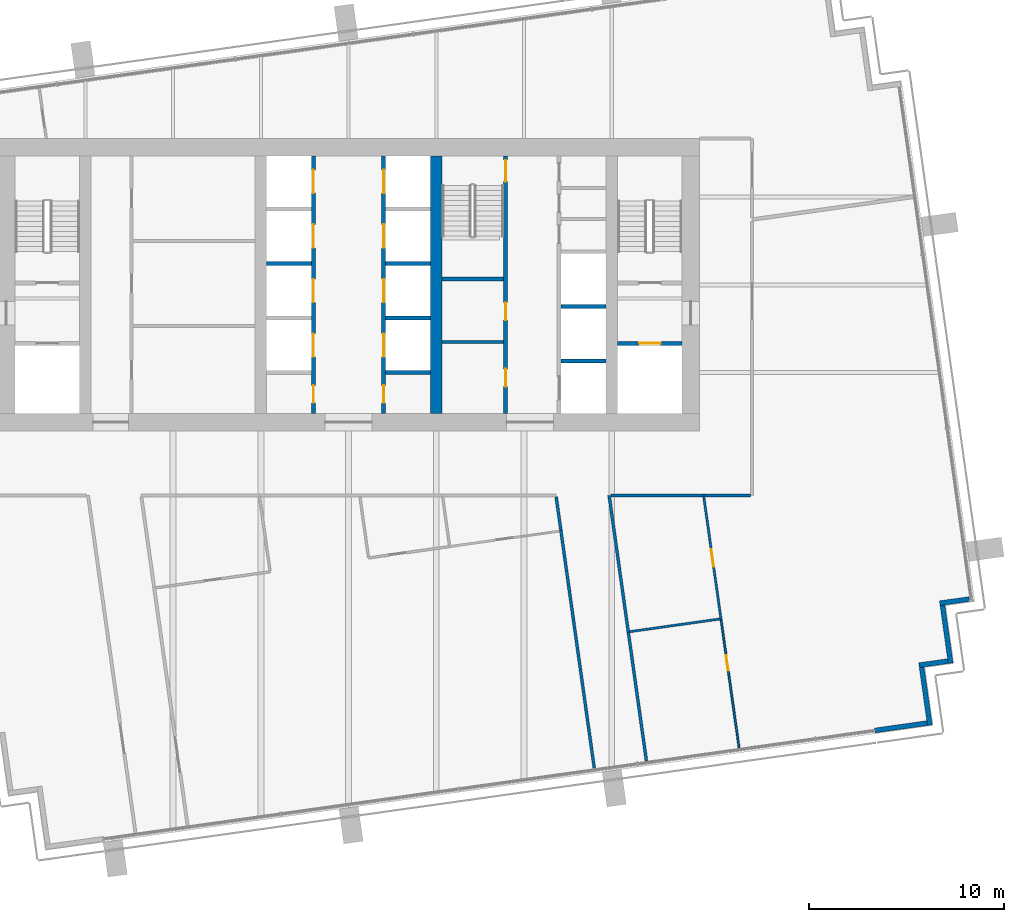
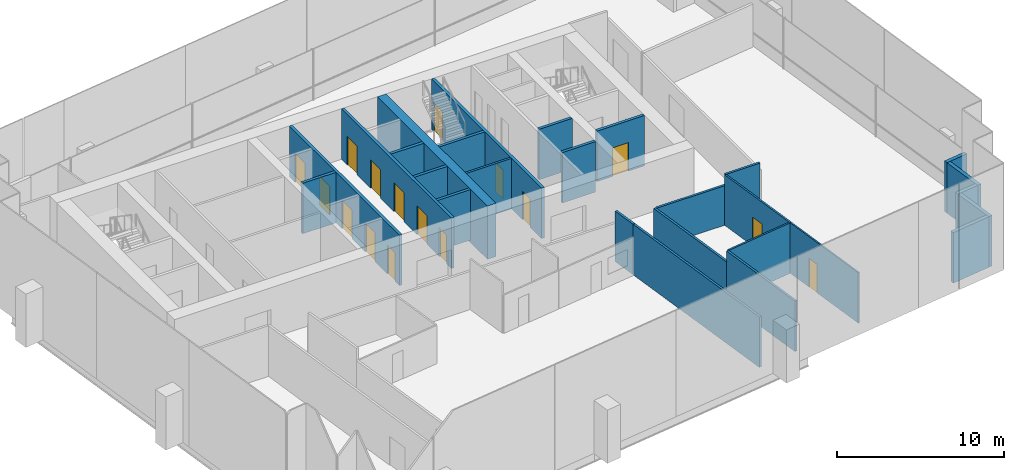
# One storey, part 10 of 17: 27 walls, 16 doors, 16 openings.
"""IFC4 building model written with IfcOpenShell, lengths in metres."""

from ifc_helpers import new_model, si_unit, direction, frame, frame_2d, origin, place, context, subcontext, project, spatial, rectangle, extrude, material, layer, layer_set, type_object, element, fill, save


model = new_model("IFC4")

# Units and contexts
model_context = context("Model", 3, precision=1e-05, world=origin(), true_north=direction((0.0, 1.0)))
body_context = subcontext(model_context, "Body", "Model", "MODEL_VIEW")
ifc_project = project(units=[si_unit("LENGTHUNIT", "METRE"), si_unit("AREAUNIT", "SQUARE_METRE"), si_unit("VOLUMEUNIT", "CUBIC_METRE"), si_unit("PLANEANGLEUNIT", "RADIAN"), si_unit("MASSUNIT", "GRAM", prefix="KILO")], contexts=[model_context])

# Site, building, storey
site_placement = place(None, origin())
site = spatial("IfcSite", under=ifc_project, at=site_placement, CompositionType="ELEMENT")
building_placement = place(site_placement, origin())
building = spatial("IfcBuilding", under=site, at=building_placement, Name="Rattan Terrace Tower", CompositionType="ELEMENT")
storey_placement = place(building_placement, frame((0.0, 0.0, 213.5)))
storey = spatial("IfcBuildingStorey", under=building, at=storey_placement, Name="L48", CompositionType="ELEMENT", Elevation=213.5)

# Wall
ifc_material_1 = material(Name="Gypsum board partition")
ifc_layer_1 = layer(ifc_material_1, 0.14990234375)
ifc_layer_set_1 = layer_set([ifc_layer_1], Name="Core partition 150")
wall_type_1 = type_object("IfcWallType", Name="Core partition 150", PredefinedType="PARTITIONING", material=ifc_layer_set_1)
wall_1_placement = place(storey_placement, frame((4.800048828125, -2.927978515625, 0.0), z_axis=(0.0, 0.0, 1.0), x_axis=(1.0, 0.0, 0.0)))
element("IfcWall", 1, at=wall_1_placement, inside=storey, type_object=wall_type_1, Name="Toilet wall", PredefinedType="PARTITIONING", context=body_context, shape_type="SweptSolid", body=[
    extrude(rectangle(XDim=3.14990234375, YDim=0.14990234375, at=frame_2d((1.574951171875, 0.0))), origin(), (0.0, 0.0, 1.0), 3.699951171875),
])

# Wall, opening, door
ifc_material_2 = material(Name="Gypsum board partition")
ifc_layer_2 = layer(ifc_material_2, 0.199951171875)
ifc_layer_set_2 = layer_set([ifc_layer_2], Name="Core partition 200")
wall_type_2 = type_object("IfcWallType", Name="Core partition 200", PredefinedType="PARTITIONING", material=ifc_layer_set_2)
wall_2_placement = place(storey_placement, frame((13.800048828125, -3.0, 0.0), z_axis=(0.0, 0.0, 1.0), x_axis=(1.0, 0.0, 0.0)))
wall_2 = element("IfcWall", 2, at=wall_2_placement, inside=storey, type_object=wall_type_2, Name="Fire-fighting lobby wall", PredefinedType="PARTITIONING", context=body_context, shape_type="SweptSolid", body=[
    extrude(rectangle(XDim=3.300048828125, YDim=0.199951171875, at=frame_2d((1.64990234375, 0.0))), origin(), (0.0, 0.0, 1.0), 3.699951171875),
])
opening_1_placement = place(wall_2_placement, frame((1.10009765625, 0.0, 0.0)))
opening_1 = element("IfcOpeningElement", 3, at=opening_1_placement, cuts=wall_2, Name="Opening L48-LD-FF2", PredefinedType="OPENING", context=body_context, shape_type="SweptSolid", body=[
    extrude(rectangle(XDim=1.10009765625, YDim=2.10009765625, at=frame_2d((0.550048828125, 1.050048828125))), frame((0.0, 0.110595703125, 0.0), z_axis=(0.0, -1.0, 0.0), x_axis=(1.0, 0.0, 0.0)), (0.0, 0.0, 1.0), 0.220947265625),
])
ifc_material_3 = material(Name="Brushed stainless landing door panel")
door_type_1 = type_object("IfcDoorType", Name="Core lift landing door 1100", OperationType="DOUBLE_DOOR_SLIDING", PredefinedType="DOOR", material=ifc_material_3)
door_1_placement = place(opening_1_placement, origin())
door_1 = element("IfcDoor", 4, at=door_1_placement, inside=storey, type_object=door_type_1, Name="Door L48-LD-FF2", OperationType="DOUBLE_DOOR_SLIDING", OverallHeight=2.10009765625, OverallWidth=1.10009765625, PredefinedType="DOOR", context=body_context, shape_type="SweptSolid", body=[
    extrude(rectangle(XDim=1.10009765625, YDim=2.10009765625, at=frame_2d((0.550048828125, 1.050048828125))), frame((0.0, 0.02490234375, 0.0), z_axis=(0.0, -1.0, 0.0), x_axis=(1.0, 0.0, 0.0)), (0.0, 0.0, 1.0), 0.050048828125),
])
fill(opening_1, door_1)

# Wall, openings, doors
wall_3_placement = place(storey_placement, frame((8.050048828125, -6.60009765625, 0.0), z_axis=(0.0, 0.0, 1.0), x_axis=(0.0, 1.0, 0.0)))
wall_3 = element("IfcWall", 5, at=wall_3_placement, inside=storey, type_object=wall_type_2, Name="Lobby wall west", PredefinedType="PARTITIONING", context=body_context, shape_type="SweptSolid", body=[
    extrude(rectangle(XDim=13.2001953125, YDim=0.199951171875, at=frame_2d((6.60009765625, 0.0))), origin(), (0.0, 0.0, 1.0), 3.699951171875),
])
opening_2_placement = place(wall_3_placement, frame((1.385986328125, 0.0, 0.0)))
opening_2 = element("IfcOpeningElement", 6, at=opening_2_placement, cuts=wall_3, Name="Opening L48-D012", PredefinedType="OPENING", context=body_context, shape_type="SweptSolid", body=[
    extrude(rectangle(XDim=0.89990234375, YDim=2.10009765625, at=frame_2d((0.449951171875, 1.050048828125))), frame((0.0, 0.110595703125, 0.0), z_axis=(0.0, -1.0, 0.0), x_axis=(1.0, 0.0, 0.0)), (0.0, 0.0, 1.0), 0.220947265625),
])
opening_3_placement = place(wall_3_placement, frame((4.785888671875, 0.0, 0.0)))
opening_3 = element("IfcOpeningElement", 7, at=opening_3_placement, cuts=wall_3, Name="Opening L48-D013", PredefinedType="OPENING", context=body_context, shape_type="SweptSolid", body=[
    extrude(rectangle(XDim=0.89990234375, YDim=2.10009765625, at=frame_2d((0.449951171875, 1.050048828125))), frame((0.0, 0.110595703125, 0.0), z_axis=(0.0, -1.0, 0.0), x_axis=(1.0, 0.0, 0.0)), (0.0, 0.0, 1.0), 0.220947265625),
])
opening_4_placement = place(wall_3_placement, frame((11.89990234375, 0.0, 0.0)))
opening_4 = element("IfcOpeningElement", 8, at=opening_4_placement, cuts=wall_3, Name="Opening L48-D014", PredefinedType="OPENING", context=body_context, shape_type="SweptSolid", body=[
    extrude(rectangle(XDim=1.10009765625, YDim=2.10009765625, at=frame_2d((0.550048828125, 1.050048828125))), frame((0.0, 0.110595703125, 0.0), z_axis=(0.0, -1.0, 0.0), x_axis=(1.0, 0.0, 0.0)), (0.0, 0.0, 1.0), 0.220947265625),
])
ifc_material_4 = material(Name="Hollow-metal fire door leaf")
door_type_2 = type_object("IfcDoorType", Name="Core stair door 1100", OperationType="NOTDEFINED", PredefinedType="DOOR", material=ifc_material_4)
door_2_placement = place(opening_4_placement, origin())
door_2 = element("IfcDoor", 9, at=door_2_placement, inside=storey, type_object=door_type_2, Name="Door L48-D014", OperationType="SINGLE_SWING_LEFT", OverallHeight=2.10009765625, OverallWidth=1.10009765625, PredefinedType="DOOR", context=body_context, shape_type="SweptSolid", body=[
    extrude(rectangle(XDim=1.10009765625, YDim=2.10009765625, at=frame_2d((0.550048828125, 1.050048828125))), frame((0.0, 0.02490234375, 0.0), z_axis=(0.0, -1.0, 0.0), x_axis=(1.0, 0.0, 0.0)), (0.0, 0.0, 1.0), 0.050048828125),
])
fill(opening_4, door_2)
ifc_material_5 = material(Name="Hollow-metal fire door leaf")
door_type_3 = type_object("IfcDoorType", Name="Core toilet door 900", OperationType="NOTDEFINED", PredefinedType="DOOR", material=ifc_material_5)
door_3_placement = place(opening_2_placement, origin())
door_3 = element("IfcDoor", 10, at=door_3_placement, inside=storey, type_object=door_type_3, Name="Door L48-D012", OperationType="SINGLE_SWING_LEFT", OverallHeight=2.10009765625, OverallWidth=0.89990234375, PredefinedType="DOOR", context=body_context, shape_type="SweptSolid", body=[
    extrude(rectangle(XDim=0.89990234375, YDim=2.10009765625, at=frame_2d((0.449951171875, 1.050048828125))), frame((0.0, 0.02490234375, 0.0), z_axis=(0.0, -1.0, 0.0), x_axis=(1.0, 0.0, 0.0)), (0.0, 0.0, 1.0), 0.050048828125),
])
fill(opening_2, door_3)
door_4_placement = place(opening_3_placement, origin())
door_4 = element("IfcDoor", 11, at=door_4_placement, inside=storey, type_object=door_type_3, Name="Door L48-D013", OperationType="SINGLE_SWING_RIGHT", OverallHeight=2.10009765625, OverallWidth=0.89990234375, PredefinedType="DOOR", context=body_context, shape_type="SweptSolid", body=[
    extrude(rectangle(XDim=0.89990234375, YDim=2.10009765625, at=frame_2d((0.449951171875, 1.050048828125))), frame((0.0, 0.02490234375, 0.0), z_axis=(0.0, -1.0, 0.0), x_axis=(1.0, 0.0, 0.0)), (0.0, 0.0, 1.0), 0.050048828125),
])
fill(opening_3, door_4)

# Walls
wall_4_placement = place(storey_placement, frame((4.800048828125, 0.300048828125, 0.0), z_axis=(0.0, 0.0, 1.0), x_axis=(1.0, 0.0, 0.0)))
element("IfcWall", 12, at=wall_4_placement, inside=storey, type_object=wall_type_2, Name="Stair enclosure wall", PredefinedType="PARTITIONING", context=body_context, shape_type="SweptSolid", body=[
    extrude(rectangle(XDim=3.14990234375, YDim=0.199951171875, at=frame_2d((1.574951171875, 0.0))), origin(), (0.0, 0.0, 1.0), 3.699951171875),
])
ifc_material_6 = material(Name="Concrete C50/60", Category="concrete")
ifc_layer_3 = layer(ifc_material_6, 0.60009765625)
ifc_layer_set_3 = layer_set([ifc_layer_3], Name="Core spine wall 600 C50/60")
wall_type_3 = type_object("IfcWallType", Name="Core spine wall 600 C50/60", PredefinedType="SHEAR", material=ifc_layer_set_3)
wall_5_placement = place(storey_placement, frame((4.5, -6.60009765625, -0.199951171875), z_axis=(0.0, 0.0, 1.0), x_axis=(0.0, 1.0, 0.0)))
element("IfcWall", 13, at=wall_5_placement, inside=storey, type_object=wall_type_3, Name="Core spine wall 3", PredefinedType="SHEAR", context=body_context, shape_type="SweptSolid", body=[
    extrude(rectangle(XDim=13.2001953125, YDim=0.60009765625, at=frame_2d((6.60009765625, 0.0))), origin(), (0.0, 0.0, 1.0), 3.89990234375),
])
ifc_material_7 = material(Name="Insulated aluminium-clad stud wall", Category="aluminium")
ifc_layer_4 = layer(ifc_material_7, 0.25)
ifc_layer_set_4 = layer_set([ifc_layer_4], Name="Facade Riser Wall 250")
wall_type_4 = type_object("IfcWallType", Name="Facade Riser Wall 250", PredefinedType="SOLIDWALL", material=ifc_layer_set_4)
wall_6_placement = place(storey_placement, frame((26.995361328125, -22.858642578125, 0.0), z_axis=(0.0, 0.0, 1.0), x_axis=(0.99024510326, 0.139336411139, 0.0)))
element("IfcWall", 14, at=wall_6_placement, inside=storey, type_object=wall_type_4, Name="Riser wall L48-1", PredefinedType="SOLIDWALL", context=body_context, shape_type="SweptSolid", body=[
    extrude(rectangle(XDim=2.705322265625, YDim=0.25, at=frame_2d((1.3525390625, 0.0))), origin(), (0.0, 0.0, 1.0), 3.699951171875),
])
wall_7_placement = place(storey_placement, frame((29.8154296875, -22.588134765625, 0.0), z_axis=(0.0, 0.0, 1.0), x_axis=(-0.138983028379, 0.9902947631, 0.0)))
element("IfcWall", 15, at=wall_7_placement, inside=storey, type_object=wall_type_4, Name="Riser wall L48-2", PredefinedType="SOLIDWALL", context=body_context, shape_type="SweptSolid", body=[
    extrude(rectangle(XDim=3.000244140625, YDim=0.25, at=frame_2d((1.5, 0.0))), origin(), (0.0, 0.0, 1.0), 3.699951171875),
])
wall_8_placement = place(storey_placement, frame((29.25732421875, -19.510498046875, 0.0), z_axis=(0.0, 0.0, 1.0), x_axis=(0.990330117064, 0.138730887823, 0.0)))
element("IfcWall", 16, at=wall_8_placement, inside=storey, type_object=wall_type_4, Name="Riser wall L48-3", PredefinedType="SOLIDWALL", context=body_context, shape_type="SweptSolid", body=[
    extrude(rectangle(XDim=1.499267578125, YDim=0.25, at=frame_2d((0.74951171875, 0.0))), origin(), (0.0, 0.0, 1.0), 3.699951171875),
])
wall_9_placement = place(storey_placement, frame((30.88330078125, -19.408935546875, 0.0), z_axis=(0.0, 0.0, 1.0), x_axis=(-0.139324658755, 0.990246756855, 0.0)))
element("IfcWall", 17, at=wall_9_placement, inside=storey, type_object=wall_type_4, Name="Riser wall L48-4", PredefinedType="SOLIDWALL", context=body_context, shape_type="SweptSolid", body=[
    extrude(rectangle(XDim=3.0, YDim=0.25, at=frame_2d((1.5, 0.0))), origin(), (0.0, 0.0, 1.0), 3.699951171875),
])
wall_10_placement = place(storey_placement, frame((30.32421875, -16.331787109375, 0.0), z_axis=(0.0, 0.0, 1.0), x_axis=(0.990238641016, 0.139382329723, 0.0)))
element("IfcWall", 18, at=wall_10_placement, inside=storey, type_object=wall_type_4, Name="Riser wall L48-5", PredefinedType="SOLIDWALL", context=body_context, shape_type="SweptSolid", body=[
    extrude(rectangle(XDim=1.525634765625, YDim=0.25, at=frame_2d((0.7626953125, 0.0))), origin(), (0.0, 0.0, 1.0), 3.699951171875),
])

# Wall, opening, door
ifc_material_8 = material(Name="Gypsum board partition on steel studs", Category="steel")
ifc_layer_5 = layer(ifc_material_8, 0.10009765625)
ifc_layer_set_5 = layer_set([ifc_layer_5], Name="Floors Partition 100")
wall_type_5 = type_object("IfcWallType", Name="Floors Partition 100", PredefinedType="PARTITIONING", material=ifc_layer_set_5)
wall_11_placement = place(storey_placement, frame((20.030029296875, -23.74609375, 0.0), z_axis=(0.0, 0.0, 1.0), x_axis=(-0.139070003418, 0.990282552683, 0.0)))
wall_11 = element("IfcWall", 19, at=wall_11_placement, inside=storey, type_object=wall_type_5, Name="pt-L48-020", PredefinedType="PARTITIONING", context=body_context, shape_type="SweptSolid", body=[
    extrude(rectangle(XDim=6.65869140625, YDim=0.10009765625, at=frame_2d((3.329345703125, 0.0))), origin(), (0.0, 0.0, 1.0), 3.699951171875),
])
opening_5_placement = place(wall_11_placement, frame((4.0009765625, 0.0, 0.0)))
opening_5 = element("IfcOpeningElement", 20, at=opening_5_placement, cuts=wall_11, Name="Opening L48-D102", PredefinedType="OPENING", context=body_context, shape_type="SweptSolid", body=[
    extrude(rectangle(XDim=0.800048828125, YDim=2.10009765625, at=frame_2d((0.39990234375, 1.050048828125))), frame((0.0, 0.060546875, 0.0), z_axis=(0.0, -1.0, 0.0), x_axis=(1.0, 0.0, 0.0)), (0.0, 0.0, 1.0), 0.12109375),
])
ifc_material_9 = material(Name="Solid core timber door, painted", Category="wood")
door_type_4 = type_object("IfcDoorType", Name="Floors Store Door 800x2100", OperationType="NOTDEFINED", PredefinedType="DOOR", material=ifc_material_9)
door_5_placement = place(opening_5_placement, origin())
door_5 = element("IfcDoor", 21, at=door_5_placement, inside=storey, type_object=door_type_4, Name="d-L48-102", OperationType="SINGLE_SWING_RIGHT", OverallHeight=2.10009765625, OverallWidth=0.800048828125, PredefinedType="DOOR", context=body_context, shape_type="SweptSolid", body=[
    extrude(rectangle(XDim=0.800048828125, YDim=2.10009765625, at=frame_2d((0.39990234375, 1.050048828125))), frame((0.0, 0.02490234375, 0.0), z_axis=(0.0, -1.0, 0.0), x_axis=(1.0, 0.0, 0.0)), (0.0, 0.0, 1.0), 0.050048828125),
])
fill(opening_5, door_5)

# Walls
ifc_material_10 = material(Name="Gypsum board partition on steel studs, fire rated", Category="steel")
ifc_layer_6 = layer(ifc_material_10, 0.14990234375)
ifc_layer_set_6 = layer_set([ifc_layer_6], Name="Floors Tenancy Wall 150")
wall_type_6 = type_object("IfcWallType", Name="Floors Tenancy Wall 150", PredefinedType="PARTITIONING", material=ifc_layer_set_6)
wall_12_placement = place(storey_placement, frame((20.625, -10.801025390625, 0.0), z_axis=(0.0, 0.0, 1.0), x_axis=(-1.0, 0.0, 0.0)))
element("IfcWall", 22, at=wall_12_placement, inside=storey, type_object=wall_type_6, Name="pt-L48-004", PredefinedType="PARTITIONING", context=body_context, shape_type="SweptSolid", body=[
    extrude(rectangle(XDim=2.39404296875, YDim=0.14990234375, at=frame_2d((1.197021484375, 0.0))), origin(), (0.0, 0.0, 1.0), 3.699951171875),
])
wall_13_placement = place(storey_placement, frame((14.35009765625, -17.820068359375, 0.0), z_axis=(0.0, 0.0, 1.0), x_axis=(0.139193607275, -0.99026518655, 0.0)))
element("IfcWall", 23, at=wall_13_placement, inside=storey, type_object=wall_type_6, Name="pt-L48-006", PredefinedType="PARTITIONING", context=body_context, shape_type="SweptSolid", body=[
    extrude(rectangle(XDim=6.659912109375, YDim=0.14990234375, at=frame_2d((3.330078125, 0.0))), origin(), (0.0, 0.0, 1.0), 3.699951171875),
])
wall_14_placement = place(storey_placement, frame((13.363037109375, -10.800048828125, 0.0), z_axis=(0.0, 0.0, 1.0), x_axis=(0.139236890445, -0.990259101619, 0.0)))
element("IfcWall", 24, at=wall_14_placement, inside=storey, type_object=wall_type_6, Name="pt-L48-007", PredefinedType="PARTITIONING", context=body_context, shape_type="SweptSolid", body=[
    extrude(rectangle(XDim=7.089111328125, YDim=0.14990234375, at=frame_2d((3.54443359375, 0.0))), origin(), (0.0, 0.0, 1.0), 2.89990234375),
])
wall_15_placement = place(storey_placement, frame((18.23095703125, -10.800048828125, 0.0), z_axis=(0.0, 0.0, 1.0), x_axis=(-1.0, 0.0, 0.0)))
element("IfcWall", 25, at=wall_15_placement, inside=storey, type_object=wall_type_6, Name="pt-L48-008", PredefinedType="PARTITIONING", context=body_context, shape_type="SweptSolid", body=[
    extrude(rectangle(XDim=4.781982421875, YDim=0.14990234375, at=frame_2d((2.39111328125, 0.0))), origin(), (0.0, 0.0, 1.0), 2.89990234375),
])
wall_16_placement = place(storey_placement, frame((12.60302734375, -24.791015625, 0.0), z_axis=(0.0, 0.0, 1.0), x_axis=(-0.139180069817, 0.990267089308, 0.0)))
element("IfcWall", 26, at=wall_16_placement, inside=storey, type_object=wall_type_6, Name="pt-L48-014", PredefinedType="PARTITIONING", context=body_context, shape_type="SweptSolid", body=[
    extrude(rectangle(XDim=12.308837890625, YDim=0.14990234375, at=frame_2d((6.154296875, 0.0))), origin(), (0.0, 0.0, 1.0), 3.699951171875),
])
wall_17_placement = place(storey_placement, frame((10.89111328125, -12.60107421875, 0.0), z_axis=(0.0, 0.0, 1.0), x_axis=(-0.139344862723, 0.990243914009, 0.0)))
element("IfcWall", 27, at=wall_17_placement, inside=storey, type_object=wall_type_6, Name="pt-L48-019", PredefinedType="PARTITIONING", context=body_context, shape_type="SweptSolid", body=[
    extrude(rectangle(XDim=1.7451171875, YDim=0.14990234375, at=frame_2d((0.87255859375, 0.0))), origin(), (0.0, 0.0, 1.0), 3.699951171875),
])

# Wall, opening, door
ifc_material_11 = material(Name="Moisture resistant gypsum board partition on steel studs with service cavity", Category="steel")
ifc_layer_7 = layer(ifc_material_11, 0.1201171875)
ifc_layer_set_7 = layer_set([ifc_layer_7], Name="Floors Wet Wall 120")
wall_type_7 = type_object("IfcWallType", Name="Floors Wet Wall 120", PredefinedType="PARTITIONING", material=ifc_layer_set_7)
wall_18_placement = place(storey_placement, frame((19.10400390625, -17.152099609375, 0.0), z_axis=(0.0, 0.0, 1.0), x_axis=(-0.139283120935, 0.99025260021, 0.0)))
wall_18 = element("IfcWall", 28, at=wall_18_placement, inside=storey, type_object=wall_type_7, Name="pt-L48-021", PredefinedType="PARTITIONING", context=body_context, shape_type="SweptSolid", body=[
    extrude(rectangle(XDim=6.346923828125, YDim=0.1201171875, at=frame_2d((3.17333984375, 0.0))), origin(), (0.0, 0.0, 1.0), 3.699951171875),
])
opening_6_placement = place(wall_18_placement, frame((2.722900390625, 0.0, 0.0)))
opening_6 = element("IfcOpeningElement", 29, at=opening_6_placement, cuts=wall_18, Name="Opening L48-D103", PredefinedType="OPENING", context=body_context, shape_type="SweptSolid", body=[
    extrude(rectangle(XDim=0.89990234375, YDim=2.10009765625, at=frame_2d((0.449951171875, 1.050048828125))), frame((0.0, 0.070556640625, 0.0), z_axis=(0.0, -1.0, 0.0), x_axis=(1.0, 0.0, 0.0)), (0.0, 0.0, 1.0), 0.14111328125),
])
ifc_material_12 = material(Name="Solid core timber door, painted", Category="wood")
door_type_5 = type_object("IfcDoorType", Name="Floors Door 900x2100", OperationType="NOTDEFINED", PredefinedType="DOOR", material=ifc_material_12)
door_6_placement = place(opening_6_placement, origin())
door_6 = element("IfcDoor", 30, at=door_6_placement, inside=storey, type_object=door_type_5, Name="d-L48-103", OperationType="SINGLE_SWING_RIGHT", OverallHeight=2.10009765625, OverallWidth=0.89990234375, PredefinedType="DOOR", context=body_context, shape_type="SweptSolid", body=[
    extrude(rectangle(XDim=0.89990234375, YDim=2.10009765625, at=frame_2d((0.449951171875, 1.050048828125))), frame((0.0, 0.02490234375, 0.0), z_axis=(0.0, -1.0, 0.0), x_axis=(1.0, 0.0, 0.0)), (0.0, 0.0, 1.0), 0.050048828125),
])
fill(opening_6, door_6)

# Wall
wall_19_placement = place(storey_placement, frame((14.4208984375, -17.7900390625, 0.0), z_axis=(0.0, 0.0, 1.0), x_axis=(0.990243495755, 0.139347834982, 0.0)))
element("IfcWall", 31, at=wall_19_placement, inside=storey, type_object=wall_type_7, Name="pt-L48-023", PredefinedType="PARTITIONING", context=body_context, shape_type="SweptSolid", body=[
    extrude(rectangle(XDim=4.66552734375, YDim=0.1201171875, at=frame_2d((2.332763671875, 0.0))), origin(), (0.0, 0.0, 1.0), 3.699951171875),
])

# Wall, openings, doors
ifc_material_13 = material(Name="Gypsum shaft wall system")
ifc_layer_8 = layer(ifc_material_13, 0.199951171875)
ifc_layer_set_8 = layer_set([ifc_layer_8], Name="Lift shaft wall 200")
wall_type_8 = type_object("IfcWallType", Name="Lift shaft wall 200", PredefinedType="PARTITIONING", material=ifc_layer_set_8)
wall_20_placement = place(storey_placement, frame((-1.800048828125, -6.60009765625, 0.0), z_axis=(0.0, 0.0, 1.0), x_axis=(0.0, 1.0, 0.0)))
wall_20 = element("IfcWall", 32, at=wall_20_placement, inside=storey, type_object=wall_type_8, Name="Lift shaft front wall", PredefinedType="PARTITIONING", context=body_context, shape_type="SweptSolid", body=[
    extrude(rectangle(XDim=13.2001953125, YDim=0.199951171875, at=frame_2d((6.60009765625, 0.0))), origin(), (0.0, 0.0, 1.0), 3.699951171875),
])
opening_7_placement = place(wall_20_placement, frame((0.550048828125, 0.0, 0.0)))
opening_7 = element("IfcOpeningElement", 33, at=opening_7_placement, cuts=wall_20, Name="Opening L48-D009", PredefinedType="OPENING", context=body_context, shape_type="SweptSolid", body=[
    extrude(rectangle(XDim=0.89990234375, YDim=2.10009765625, at=frame_2d((0.449951171875, 1.050048828125))), frame((0.0, 0.110595703125, 0.0), z_axis=(0.0, -1.0, 0.0), x_axis=(1.0, 0.0, 0.0)), (0.0, 0.0, 1.0), 0.220947265625),
])
opening_8_placement = place(wall_20_placement, frame((2.89990234375, 0.0, 0.0)))
opening_8 = element("IfcOpeningElement", 34, at=opening_8_placement, cuts=wall_20, Name="Opening L48-LD-HR1", PredefinedType="OPENING", context=body_context, shape_type="SweptSolid", body=[
    extrude(rectangle(XDim=1.199951171875, YDim=2.10009765625, at=frame_2d((0.60009765625, 1.050048828125))), frame((0.0, 0.110595703125, 0.0), z_axis=(0.0, -1.0, 0.0), x_axis=(1.0, 0.0, 0.0)), (0.0, 0.0, 1.0), 0.220947265625),
])
opening_9_placement = place(wall_20_placement, frame((5.699951171875, 0.0, 0.0)))
opening_9 = element("IfcOpeningElement", 35, at=opening_9_placement, cuts=wall_20, Name="Opening L48-LD-HR2", PredefinedType="OPENING", context=body_context, shape_type="SweptSolid", body=[
    extrude(rectangle(XDim=1.199951171875, YDim=2.10009765625, at=frame_2d((0.60009765625, 1.050048828125))), frame((0.0, 0.110595703125, 0.0), z_axis=(0.0, -1.0, 0.0), x_axis=(1.0, 0.0, 0.0)), (0.0, 0.0, 1.0), 0.220947265625),
])
opening_10_placement = place(wall_20_placement, frame((8.5, 0.0, 0.0)))
opening_10 = element("IfcOpeningElement", 36, at=opening_10_placement, cuts=wall_20, Name="Opening L48-LD-HR3", PredefinedType="OPENING", context=body_context, shape_type="SweptSolid", body=[
    extrude(rectangle(XDim=1.199951171875, YDim=2.10009765625, at=frame_2d((0.60009765625, 1.050048828125))), frame((0.0, 0.110595703125, 0.0), z_axis=(0.0, -1.0, 0.0), x_axis=(1.0, 0.0, 0.0)), (0.0, 0.0, 1.0), 0.220947265625),
])
opening_11_placement = place(wall_20_placement, frame((11.300048828125, 0.0, 0.0)))
opening_11 = element("IfcOpeningElement", 37, at=opening_11_placement, cuts=wall_20, Name="Opening L48-LD-HR4", PredefinedType="OPENING", context=body_context, shape_type="SweptSolid", body=[
    extrude(rectangle(XDim=1.199951171875, YDim=2.10009765625, at=frame_2d((0.60009765625, 1.050048828125))), frame((0.0, 0.110595703125, 0.0), z_axis=(0.0, -1.0, 0.0), x_axis=(1.0, 0.0, 0.0)), (0.0, 0.0, 1.0), 0.220947265625),
])
ifc_material_14 = material(Name="Brushed stainless landing door panel")
door_type_6 = type_object("IfcDoorType", Name="Core lift landing door 1200", OperationType="DOUBLE_DOOR_SLIDING", PredefinedType="DOOR", material=ifc_material_14)
door_7_placement = place(opening_8_placement, origin())
door_7 = element("IfcDoor", 38, at=door_7_placement, inside=storey, type_object=door_type_6, Name="Door L48-LD-HR1", OperationType="DOUBLE_DOOR_SLIDING", OverallHeight=2.10009765625, OverallWidth=1.199951171875, PredefinedType="DOOR", context=body_context, shape_type="SweptSolid", body=[
    extrude(rectangle(XDim=1.199951171875, YDim=2.10009765625, at=frame_2d((0.60009765625, 1.050048828125))), frame((0.0, 0.02490234375, 0.0), z_axis=(0.0, -1.0, 0.0), x_axis=(1.0, 0.0, 0.0)), (0.0, 0.0, 1.0), 0.050048828125),
])
fill(opening_8, door_7)
door_8_placement = place(opening_9_placement, origin())
door_8 = element("IfcDoor", 39, at=door_8_placement, inside=storey, type_object=door_type_6, Name="Door L48-LD-HR2", OperationType="DOUBLE_DOOR_SLIDING", OverallHeight=2.10009765625, OverallWidth=1.199951171875, PredefinedType="DOOR", context=body_context, shape_type="SweptSolid", body=[
    extrude(rectangle(XDim=1.199951171875, YDim=2.10009765625, at=frame_2d((0.60009765625, 1.050048828125))), frame((0.0, 0.02490234375, 0.0), z_axis=(0.0, -1.0, 0.0), x_axis=(1.0, 0.0, 0.0)), (0.0, 0.0, 1.0), 0.050048828125),
])
fill(opening_9, door_8)
door_9_placement = place(opening_10_placement, origin())
door_9 = element("IfcDoor", 40, at=door_9_placement, inside=storey, type_object=door_type_6, Name="Door L48-LD-HR3", OperationType="DOUBLE_DOOR_SLIDING", OverallHeight=2.10009765625, OverallWidth=1.199951171875, PredefinedType="DOOR", context=body_context, shape_type="SweptSolid", body=[
    extrude(rectangle(XDim=1.199951171875, YDim=2.10009765625, at=frame_2d((0.60009765625, 1.050048828125))), frame((0.0, 0.02490234375, 0.0), z_axis=(0.0, -1.0, 0.0), x_axis=(1.0, 0.0, 0.0)), (0.0, 0.0, 1.0), 0.050048828125),
])
fill(opening_10, door_9)
door_10_placement = place(opening_11_placement, origin())
door_10 = element("IfcDoor", 41, at=door_10_placement, inside=storey, type_object=door_type_6, Name="Door L48-LD-HR4", OperationType="DOUBLE_DOOR_SLIDING", OverallHeight=2.10009765625, OverallWidth=1.199951171875, PredefinedType="DOOR", context=body_context, shape_type="SweptSolid", body=[
    extrude(rectangle(XDim=1.199951171875, YDim=2.10009765625, at=frame_2d((0.60009765625, 1.050048828125))), frame((0.0, 0.02490234375, 0.0), z_axis=(0.0, -1.0, 0.0), x_axis=(1.0, 0.0, 0.0)), (0.0, 0.0, 1.0), 0.050048828125),
])
fill(opening_11, door_10)
ifc_material_15 = material(Name="Hollow-metal fire door leaf")
door_type_7 = type_object("IfcDoorType", Name="Core riser door 900", OperationType="NOTDEFINED", PredefinedType="DOOR", material=ifc_material_15)
door_11_placement = place(opening_7_placement, origin())
door_11 = element("IfcDoor", 42, at=door_11_placement, inside=storey, type_object=door_type_7, Name="Door L48-D009", OperationType="SINGLE_SWING_LEFT", OverallHeight=2.10009765625, OverallWidth=0.89990234375, PredefinedType="DOOR", context=body_context, shape_type="SweptSolid", body=[
    extrude(rectangle(XDim=0.89990234375, YDim=2.10009765625, at=frame_2d((0.449951171875, 1.050048828125))), frame((0.0, 0.02490234375, 0.0), z_axis=(0.0, -1.0, 0.0), x_axis=(1.0, 0.0, 0.0)), (0.0, 0.0, 1.0), 0.050048828125),
])
fill(opening_7, door_11)

wall_21_placement = place(storey_placement, frame((1.800048828125, -6.60009765625, 0.0), z_axis=(0.0, 0.0, 1.0), x_axis=(0.0, 1.0, 0.0)))
wall_21 = element("IfcWall", 43, at=wall_21_placement, inside=storey, type_object=wall_type_8, Name="Lift shaft front wall", PredefinedType="PARTITIONING", context=body_context, shape_type="SweptSolid", body=[
    extrude(rectangle(XDim=13.2001953125, YDim=0.199951171875, at=frame_2d((6.60009765625, 0.0))), origin(), (0.0, 0.0, 1.0), 3.699951171875),
])
opening_12_placement = place(wall_21_placement, frame((0.550048828125, 0.0, 0.0)))
opening_12 = element("IfcOpeningElement", 44, at=opening_12_placement, cuts=wall_21, Name="Opening L48-D010", PredefinedType="OPENING", context=body_context, shape_type="SweptSolid", body=[
    extrude(rectangle(XDim=0.89990234375, YDim=2.10009765625, at=frame_2d((0.449951171875, 1.050048828125))), frame((0.0, 0.110595703125, 0.0), z_axis=(0.0, -1.0, 0.0), x_axis=(1.0, 0.0, 0.0)), (0.0, 0.0, 1.0), 0.220947265625),
])
opening_13_placement = place(wall_21_placement, frame((2.89990234375, 0.0, 0.0)))
opening_13 = element("IfcOpeningElement", 45, at=opening_13_placement, cuts=wall_21, Name="Opening L48-LD-HR5", PredefinedType="OPENING", context=body_context, shape_type="SweptSolid", body=[
    extrude(rectangle(XDim=1.199951171875, YDim=2.10009765625, at=frame_2d((0.60009765625, 1.050048828125))), frame((0.0, 0.110595703125, 0.0), z_axis=(0.0, -1.0, 0.0), x_axis=(1.0, 0.0, 0.0)), (0.0, 0.0, 1.0), 0.220947265625),
])
opening_14_placement = place(wall_21_placement, frame((5.699951171875, 0.0, 0.0)))
opening_14 = element("IfcOpeningElement", 46, at=opening_14_placement, cuts=wall_21, Name="Opening L48-LD-HR6", PredefinedType="OPENING", context=body_context, shape_type="SweptSolid", body=[
    extrude(rectangle(XDim=1.199951171875, YDim=2.10009765625, at=frame_2d((0.60009765625, 1.050048828125))), frame((0.0, 0.110595703125, 0.0), z_axis=(0.0, -1.0, 0.0), x_axis=(1.0, 0.0, 0.0)), (0.0, 0.0, 1.0), 0.220947265625),
])
opening_15_placement = place(wall_21_placement, frame((8.5, 0.0, 0.0)))
opening_15 = element("IfcOpeningElement", 47, at=opening_15_placement, cuts=wall_21, Name="Opening L48-LD-HR7", PredefinedType="OPENING", context=body_context, shape_type="SweptSolid", body=[
    extrude(rectangle(XDim=1.199951171875, YDim=2.10009765625, at=frame_2d((0.60009765625, 1.050048828125))), frame((0.0, 0.110595703125, 0.0), z_axis=(0.0, -1.0, 0.0), x_axis=(1.0, 0.0, 0.0)), (0.0, 0.0, 1.0), 0.220947265625),
])
opening_16_placement = place(wall_21_placement, frame((11.300048828125, 0.0, 0.0)))
opening_16 = element("IfcOpeningElement", 48, at=opening_16_placement, cuts=wall_21, Name="Opening L48-LD-HR8", PredefinedType="OPENING", context=body_context, shape_type="SweptSolid", body=[
    extrude(rectangle(XDim=1.199951171875, YDim=2.10009765625, at=frame_2d((0.60009765625, 1.050048828125))), frame((0.0, 0.110595703125, 0.0), z_axis=(0.0, -1.0, 0.0), x_axis=(1.0, 0.0, 0.0)), (0.0, 0.0, 1.0), 0.220947265625),
])
door_12_placement = place(opening_13_placement, origin())
door_12 = element("IfcDoor", 49, at=door_12_placement, inside=storey, type_object=door_type_6, Name="Door L48-LD-HR5", OperationType="DOUBLE_DOOR_SLIDING", OverallHeight=2.10009765625, OverallWidth=1.199951171875, PredefinedType="DOOR", context=body_context, shape_type="SweptSolid", body=[
    extrude(rectangle(XDim=1.199951171875, YDim=2.10009765625, at=frame_2d((0.60009765625, 1.050048828125))), frame((0.0, 0.02490234375, 0.0), z_axis=(0.0, -1.0, 0.0), x_axis=(1.0, 0.0, 0.0)), (0.0, 0.0, 1.0), 0.050048828125),
])
fill(opening_13, door_12)
door_13_placement = place(opening_14_placement, origin())
door_13 = element("IfcDoor", 50, at=door_13_placement, inside=storey, type_object=door_type_6, Name="Door L48-LD-HR6", OperationType="DOUBLE_DOOR_SLIDING", OverallHeight=2.10009765625, OverallWidth=1.199951171875, PredefinedType="DOOR", context=body_context, shape_type="SweptSolid", body=[
    extrude(rectangle(XDim=1.199951171875, YDim=2.10009765625, at=frame_2d((0.60009765625, 1.050048828125))), frame((0.0, 0.02490234375, 0.0), z_axis=(0.0, -1.0, 0.0), x_axis=(1.0, 0.0, 0.0)), (0.0, 0.0, 1.0), 0.050048828125),
])
fill(opening_14, door_13)
door_14_placement = place(opening_15_placement, origin())
door_14 = element("IfcDoor", 51, at=door_14_placement, inside=storey, type_object=door_type_6, Name="Door L48-LD-HR7", OperationType="DOUBLE_DOOR_SLIDING", OverallHeight=2.10009765625, OverallWidth=1.199951171875, PredefinedType="DOOR", context=body_context, shape_type="SweptSolid", body=[
    extrude(rectangle(XDim=1.199951171875, YDim=2.10009765625, at=frame_2d((0.60009765625, 1.050048828125))), frame((0.0, 0.02490234375, 0.0), z_axis=(0.0, -1.0, 0.0), x_axis=(1.0, 0.0, 0.0)), (0.0, 0.0, 1.0), 0.050048828125),
])
fill(opening_15, door_14)
door_15_placement = place(opening_16_placement, origin())
door_15 = element("IfcDoor", 52, at=door_15_placement, inside=storey, type_object=door_type_6, Name="Door L48-LD-HR8", OperationType="DOUBLE_DOOR_SLIDING", OverallHeight=2.10009765625, OverallWidth=1.199951171875, PredefinedType="DOOR", context=body_context, shape_type="SweptSolid", body=[
    extrude(rectangle(XDim=1.199951171875, YDim=2.10009765625, at=frame_2d((0.60009765625, 1.050048828125))), frame((0.0, 0.02490234375, 0.0), z_axis=(0.0, -1.0, 0.0), x_axis=(1.0, 0.0, 0.0)), (0.0, 0.0, 1.0), 0.050048828125),
])
fill(opening_16, door_15)
door_16_placement = place(opening_12_placement, origin())
door_16 = element("IfcDoor", 53, at=door_16_placement, inside=storey, type_object=door_type_7, Name="Door L48-D010", OperationType="SINGLE_SWING_RIGHT", OverallHeight=2.10009765625, OverallWidth=0.89990234375, PredefinedType="DOOR", context=body_context, shape_type="SweptSolid", body=[
    extrude(rectangle(XDim=0.89990234375, YDim=2.10009765625, at=frame_2d((0.449951171875, 1.050048828125))), frame((0.0, 0.02490234375, 0.0), z_axis=(0.0, -1.0, 0.0), x_axis=(1.0, 0.0, 0.0)), (0.0, 0.0, 1.0), 0.050048828125),
])
fill(opening_12, door_16)

# Walls
for number, where, z_axis, x_axis, name in (
    (54, (-4.199951171875, 1.10009765625, 0.0), (0.0, 0.0, 1.0), (1.0, 0.0, 0.0), "Lift shaft wall"),
    (55, (1.89990234375, -1.699951171875, 0.0), (0.0, 0.0, 1.0), (1.0, 0.0, 0.0), "Lift shaft wall"),
    (56, (1.89990234375, 1.10009765625, 0.0), (0.0, 0.0, 1.0), (1.0, 0.0, 0.0), "Lift shaft wall"),
    (57, (1.89990234375, -4.5, 0.0), (0.0, 0.0, 1.0), (1.0, 0.0, 0.0), "Lift shaft wall"),
    (58, (10.89990234375, -3.89990234375, 0.0), (0.0, 0.0, 1.0), (1.0, 0.0, 0.0), "Lift shaft wall"),
    (59, (10.89990234375, -1.10009765625, 0.0), (0.0, 0.0, 1.0), (1.0, 0.0, 0.0), "Lift shaft wall"),
):
    element("IfcWall", number, at=place(storey_placement, frame(where, z_axis=z_axis, x_axis=x_axis)), inside=storey, type_object=wall_type_8, Name=name, PredefinedType="PARTITIONING", context=body_context, shape_type="SweptSolid", body=[
        extrude(rectangle(XDim=2.300048828125, YDim=0.199951171875, at=frame_2d((1.14990234375, 0.0))), origin(), (0.0, 0.0, 1.0), 3.699951171875),
    ])

save(model, "model.ifc")
